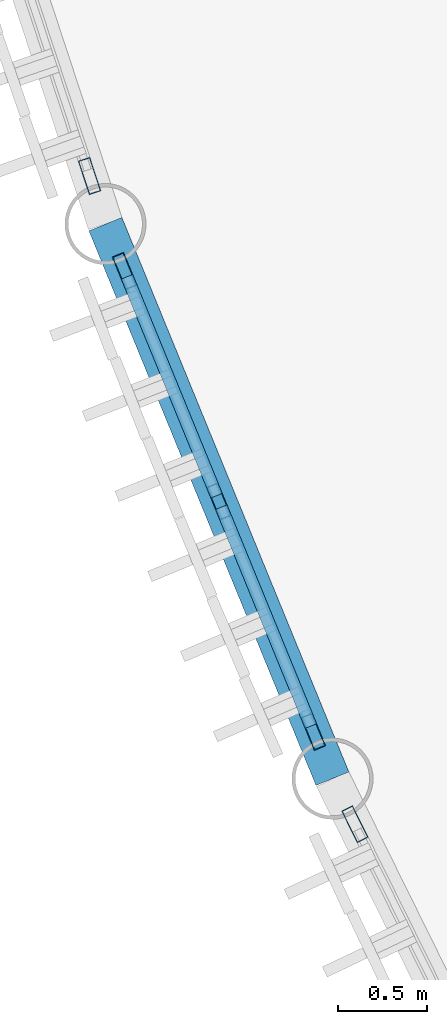
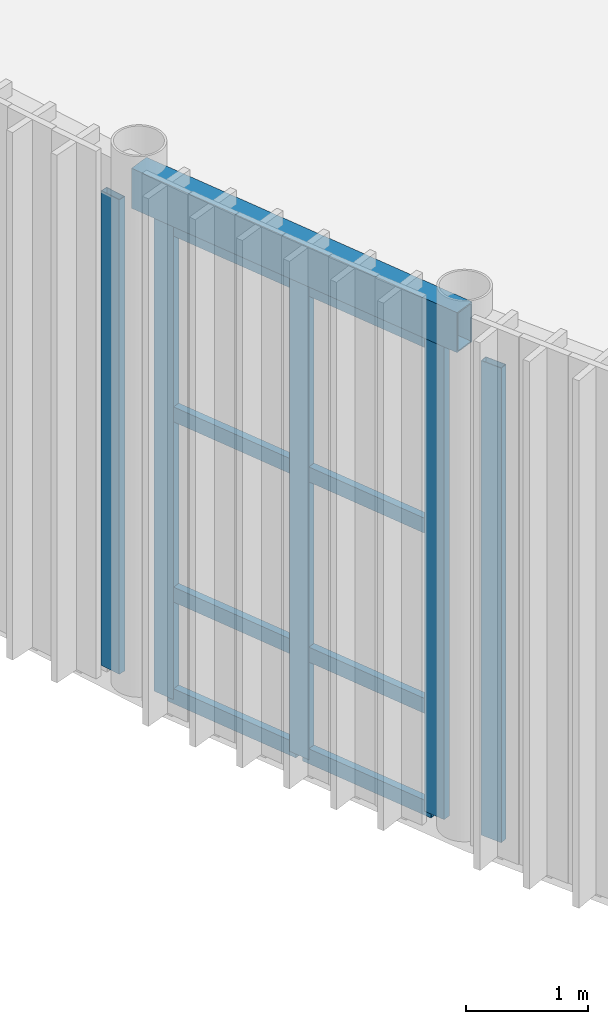
# One storey, part 23 of 87: 13 members, 1 beam, 3 elements without a shape of their own.
"""IFC4 building model written with IfcOpenShell, lengths in metres."""

from ifc_helpers import new_model, si_unit, direction, frame, origin, origin_2d, place, context, subcontext, project, spatial, hollow_rectangle, extrude, material, layer, layer_set, material_profile, profile_set, type_object, element, aggregate, save


model = new_model("IFC4")

# Units and contexts
model_context = context("Model", 3, precision=1e-05, world=origin(), true_north=direction((0.0, 1.0)))
body_context = subcontext(model_context, "Body", "Model", "MODEL_VIEW")
ifc_project = project(units=[si_unit("LENGTHUNIT", "METRE"), si_unit("AREAUNIT", "SQUARE_METRE"), si_unit("VOLUMEUNIT", "CUBIC_METRE"), si_unit("PLANEANGLEUNIT", "RADIAN"), si_unit("MASSUNIT", "GRAM", prefix="KILO")], contexts=[model_context])

# Site, building, storey
site_placement = place(None, origin())
site = spatial("IfcSite", under=ifc_project, at=site_placement, CompositionType="ELEMENT")
building_placement = place(site_placement, origin())
building = spatial("IfcBuilding", under=site, at=building_placement, Name="Selat Folded Stagehouse", CompositionType="ELEMENT")
storey_placement = place(building_placement, origin())
storey = spatial("IfcBuildingStorey", under=building, at=storey_placement, Name="L00", CompositionType="ELEMENT", Elevation=0.0)

# Curtain wall, member
ifc_material_1 = material(Name="Aluminium 6063-T6", Category="aluminium")
ifc_layer = layer(ifc_material_1, 0.219970703125)
ifc_layer_set = layer_set([ifc_layer], Name="Aluminium 6063-T6")
curtain_wall_type = type_object("IfcCurtainWallType", Name="CW-DRM-HIGH", PredefinedType="NOTDEFINED", material=ifc_layer_set)
curtain_wall_1_placement = place(storey_placement, origin())
curtain_wall_1 = element("IfcCurtainWall", 1, at=curtain_wall_1_placement, inside=storey, type_object=curtain_wall_type, Name="L00 curtain wall CW-DRM-L00-06", PredefinedType="NOTDEFINED")
ifc_material_profile_1 = material_profile(ifc_material_1, hollow_rectangle(XDim=0.070068359375, YDim=0.199951171875, WallThickness=0.0048828125, at=origin_2d()), Name="ALU 200x70x5.0")
ifc_profile_set_1 = profile_set([ifc_material_profile_1], Name="Aluminium 6063-T6")
member_type_1 = type_object("IfcMemberType", Name="CWM-MUL-200x70", PredefinedType="MULLION", material=ifc_profile_set_1)
member_1_placement = place(storey_placement, frame((2.87841796875, 31.65478515625, 0.0), z_axis=(0.0, 0.0, 1.0), x_axis=(-0.949754805107, -0.312994904395, 0.0)))
member_1 = element("IfcMember", 2, at=member_1_placement, type_object=member_type_1, Name="CW-01 mullion 1", PredefinedType="MULLION", context=body_context, shape_type="SweptSolid", body=[
    extrude(hollow_rectangle(XDim=0.070068359375, YDim=0.199951171875, WallThickness=0.0048828125, at=origin_2d()), origin(), (0.0, 0.0, 1.0), 4.739990234375),
])
aggregate(curtain_wall_1, [member_1])

# Curtain wall, members
curtain_wall_2_placement = place(storey_placement, origin())
curtain_wall_2 = element("IfcCurtainWall", 3, at=curtain_wall_2_placement, inside=storey, type_object=curtain_wall_type, Name="L00 curtain wall CW-DRM-L00-07", PredefinedType="NOTDEFINED")
member_2_placement = place(storey_placement, frame((4.135986328125, 28.5302734375, 0.0), z_axis=(0.0, 0.0, 1.0), x_axis=(-0.925441425231, -0.378890707813, 0.0)))
member_2 = element("IfcMember", 4, at=member_2_placement, type_object=member_type_1, Name="CW-01 mullion 1", PredefinedType="MULLION", context=body_context, shape_type="SweptSolid", body=[
    extrude(hollow_rectangle(XDim=0.070068359375, YDim=0.199951171875, WallThickness=0.0048828125, at=origin_2d()), origin(), (0.0, 0.0, 1.0), 4.739990234375),
])
member_3_placement = place(storey_placement, frame((3.605712890625, 29.8251953125, 0.0), z_axis=(0.0, 0.0, 1.0), x_axis=(-0.925441425231, -0.378890707813, 0.0)))
member_3 = element("IfcMember", 5, at=member_3_placement, type_object=member_type_1, Name="CW-01 mullion 2", PredefinedType="MULLION", context=body_context, shape_type="SweptSolid", body=[
    extrude(hollow_rectangle(XDim=0.070068359375, YDim=0.199951171875, WallThickness=0.0048828125, at=origin_2d()), origin(), (0.0, 0.0, 1.0), 4.739990234375),
])
member_4_placement = place(storey_placement, frame((3.075439453125, 31.120361328125, 0.0), z_axis=(0.0, 0.0, 1.0), x_axis=(-0.925441425231, -0.378890707813, 0.0)))
member_4 = element("IfcMember", 6, at=member_4_placement, type_object=member_type_1, Name="CW-01 mullion 3", PredefinedType="MULLION", context=body_context, shape_type="SweptSolid", body=[
    extrude(hollow_rectangle(XDim=0.070068359375, YDim=0.199951171875, WallThickness=0.0048828125, at=origin_2d()), origin(), (0.0, 0.0, 1.0), 4.739990234375),
])

# Curtain wall, member
curtain_wall_3_placement = place(storey_placement, origin())
curtain_wall_3 = element("IfcCurtainWall", 7, at=curtain_wall_3_placement, inside=storey, type_object=curtain_wall_type, Name="L00 curtain wall CW-DRM-L00-08", PredefinedType="NOTDEFINED")
member_5_placement = place(storey_placement, frame((4.3701171875, 28.010986328125, 0.0), z_axis=(0.0, 0.0, 1.0), x_axis=(-0.896598356392, -0.442844653705, 0.0)))
member_5 = element("IfcMember", 8, at=member_5_placement, type_object=member_type_1, Name="CW-01 mullion 3", PredefinedType="MULLION", context=body_context, shape_type="SweptSolid", body=[
    extrude(hollow_rectangle(XDim=0.070068359375, YDim=0.199951171875, WallThickness=0.0048828125, at=origin_2d()), origin(), (0.0, 0.0, 1.0), 4.739990234375),
])
aggregate(curtain_wall_3, [member_5])

# Member
ifc_material_profile_2 = material_profile(ifc_material_1, hollow_rectangle(XDim=0.070068359375, YDim=0.14990234375, WallThickness=0.00390625, at=origin_2d()), Name="ALU 150x70x4.0")
ifc_profile_set_2 = profile_set([ifc_material_profile_2], Name="Aluminium 6063-T6")
member_type_2 = type_object("IfcMemberType", Name="CWM-TRN-150x70", PredefinedType="USERDEFINED", material=ifc_profile_set_2)
member_6_placement = place(storey_placement, frame((4.122802734375, 28.5625, 0.034912109375), z_axis=(-0.378818738261, 0.925470887463, 0.0), x_axis=(-0.925470887463, -0.378818738261, 0.0)))
member_6 = element("IfcMember", 9, at=member_6_placement, type_object=member_type_2, Name="CW-01 transom 1.1", ObjectType="TRANSOM", PredefinedType="USERDEFINED", context=body_context, shape_type="SweptSolid", body=[
    extrude(hollow_rectangle(XDim=0.070068359375, YDim=0.14990234375, WallThickness=0.00390625, at=origin_2d()), origin(), (0.0, 0.0, 1.0), 1.32958984375),
])

member_7_placement = place(storey_placement, frame((4.122802734375, 28.5625, 1.050048828125), z_axis=(-0.378818738261, 0.925470887463, 0.0), x_axis=(-0.925470887463, -0.378818738261, 0.0)))
member_7 = element("IfcMember", 10, at=member_7_placement, type_object=member_type_2, Name="CW-01 transom 1.2", ObjectType="TRANSOM", PredefinedType="USERDEFINED", context=body_context, shape_type="SweptSolid", body=[
    extrude(hollow_rectangle(XDim=0.070068359375, YDim=0.14990234375, WallThickness=0.00390625, at=origin_2d()), origin(), (0.0, 0.0, 1.0), 1.32958984375),
])

member_8_placement = place(storey_placement, frame((4.122802734375, 28.5625, 2.85009765625), z_axis=(-0.378818738261, 0.925470887463, 0.0), x_axis=(-0.925470887463, -0.378818738261, 0.0)))
member_8 = element("IfcMember", 11, at=member_8_placement, type_object=member_type_2, Name="CW-01 transom 1.3", ObjectType="TRANSOM", PredefinedType="USERDEFINED", context=body_context, shape_type="SweptSolid", body=[
    extrude(hollow_rectangle(XDim=0.070068359375, YDim=0.14990234375, WallThickness=0.00390625, at=origin_2d()), origin(), (0.0, 0.0, 1.0), 1.32958984375),
])

member_9_placement = place(storey_placement, frame((4.122802734375, 28.5625, 4.705078125), z_axis=(-0.378818738261, 0.925470887463, 0.0), x_axis=(-0.925470887463, -0.378818738261, 0.0)))
member_9 = element("IfcMember", 12, at=member_9_placement, type_object=member_type_2, Name="CW-01 transom 1.4", ObjectType="TRANSOM", PredefinedType="USERDEFINED", context=body_context, shape_type="SweptSolid", body=[
    extrude(hollow_rectangle(XDim=0.070068359375, YDim=0.14990234375, WallThickness=0.00390625, at=origin_2d()), origin(), (0.0, 0.0, 1.0), 1.32958984375),
])

member_10_placement = place(storey_placement, frame((3.592529296875, 29.857666015625, 0.034912109375), z_axis=(-0.378818738261, 0.925470887463, 0.0), x_axis=(-0.925470887463, -0.378818738261, 0.0)))
member_10 = element("IfcMember", 13, at=member_10_placement, type_object=member_type_2, Name="CW-01 transom 2.1", ObjectType="TRANSOM", PredefinedType="USERDEFINED", context=body_context, shape_type="SweptSolid", body=[
    extrude(hollow_rectangle(XDim=0.070068359375, YDim=0.14990234375, WallThickness=0.00390625, at=origin_2d()), origin(), (0.0, 0.0, 1.0), 1.32958984375),
])

member_11_placement = place(storey_placement, frame((3.592529296875, 29.857666015625, 1.050048828125), z_axis=(-0.378818738261, 0.925470887463, 0.0), x_axis=(-0.925470887463, -0.378818738261, 0.0)))
member_11 = element("IfcMember", 14, at=member_11_placement, type_object=member_type_2, Name="CW-01 transom 2.2", ObjectType="TRANSOM", PredefinedType="USERDEFINED", context=body_context, shape_type="SweptSolid", body=[
    extrude(hollow_rectangle(XDim=0.070068359375, YDim=0.14990234375, WallThickness=0.00390625, at=origin_2d()), origin(), (0.0, 0.0, 1.0), 1.32958984375),
])

member_12_placement = place(storey_placement, frame((3.592529296875, 29.857666015625, 2.85009765625), z_axis=(-0.378818738261, 0.925470887463, 0.0), x_axis=(-0.925470887463, -0.378818738261, 0.0)))
member_12 = element("IfcMember", 15, at=member_12_placement, type_object=member_type_2, Name="CW-01 transom 2.3", ObjectType="TRANSOM", PredefinedType="USERDEFINED", context=body_context, shape_type="SweptSolid", body=[
    extrude(hollow_rectangle(XDim=0.070068359375, YDim=0.14990234375, WallThickness=0.00390625, at=origin_2d()), origin(), (0.0, 0.0, 1.0), 1.32958984375),
])

member_13_placement = place(storey_placement, frame((3.592529296875, 29.857666015625, 4.705078125), z_axis=(-0.378818738261, 0.925470887463, 0.0), x_axis=(-0.925470887463, -0.378818738261, 0.0)))
member_13 = element("IfcMember", 16, at=member_13_placement, type_object=member_type_2, Name="CW-01 transom 2.4", ObjectType="TRANSOM", PredefinedType="USERDEFINED", context=body_context, shape_type="SweptSolid", body=[
    extrude(hollow_rectangle(XDim=0.070068359375, YDim=0.14990234375, WallThickness=0.00390625, at=origin_2d()), origin(), (0.0, 0.0, 1.0), 1.32958984375),
])

aggregate(curtain_wall_2, [member_2, member_3, member_4, member_6, member_7, member_8, member_9, member_10, member_11, member_12, member_13])

# Beam
ifc_material_2 = material(Name="Steel S355", Category="steel")
ifc_material_profile_3 = material_profile(ifc_material_2, hollow_rectangle(XDim=0.199951171875, YDim=0.39990234375, WallThickness=0.012451171875, at=origin_2d()), Name="RHS 400x200x12.5")
ifc_profile_set_3 = profile_set([ifc_material_profile_3], Name="Steel S355")
beam_type = type_object("IfcBeamType", Name="SPD-EXT-400x200", PredefinedType="SPANDREL", material=ifc_profile_set_3)
beam_placement = place(storey_placement, frame((2.967529296875, 31.38427734375, 4.97998046875), z_axis=(0.3788501038, -0.925458048131, 0.0), x_axis=(0.925458048131, 0.3788501038, 0.0)))
element("IfcBeam", 17, at=beam_placement, inside=storey, type_object=beam_type, Name="L00 curved drum spandrel beam 8", PredefinedType="SPANDREL", context=body_context, shape_type="SweptSolid", body=[
    extrude(hollow_rectangle(XDim=0.199951171875, YDim=0.39990234375, WallThickness=0.012451171875, at=origin_2d()), origin(), (0.0, 0.0, 1.0), 3.369140625),
])

save(model, "model.ifc")
